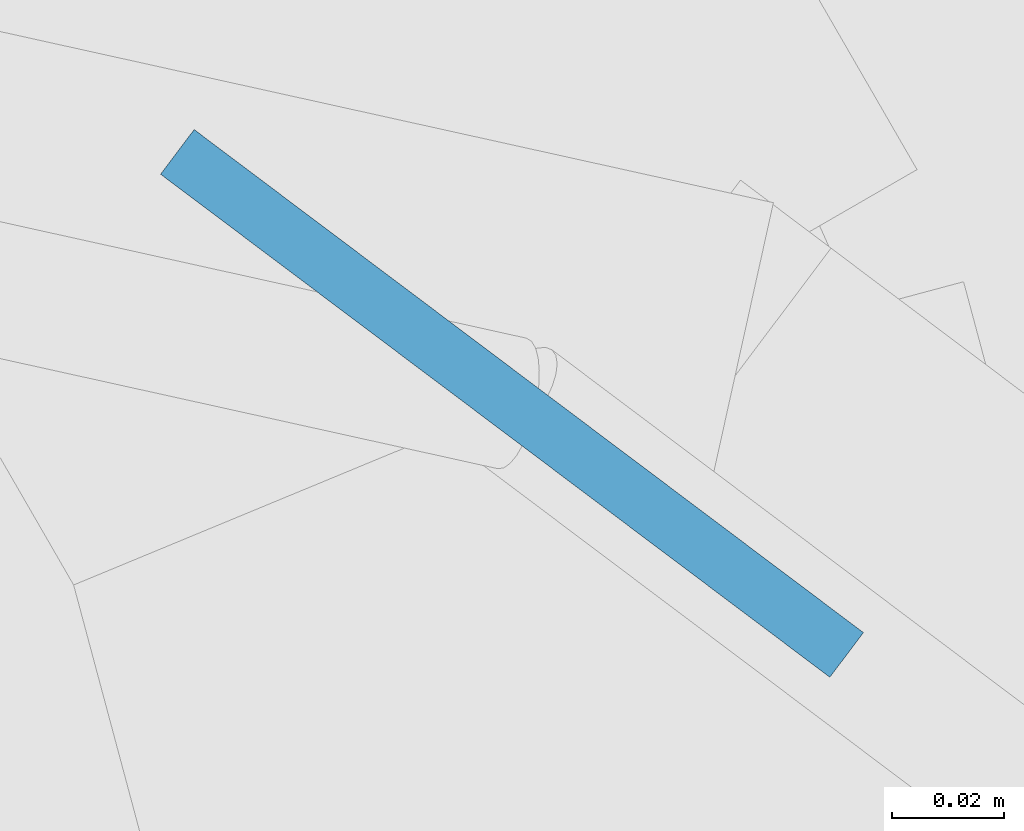
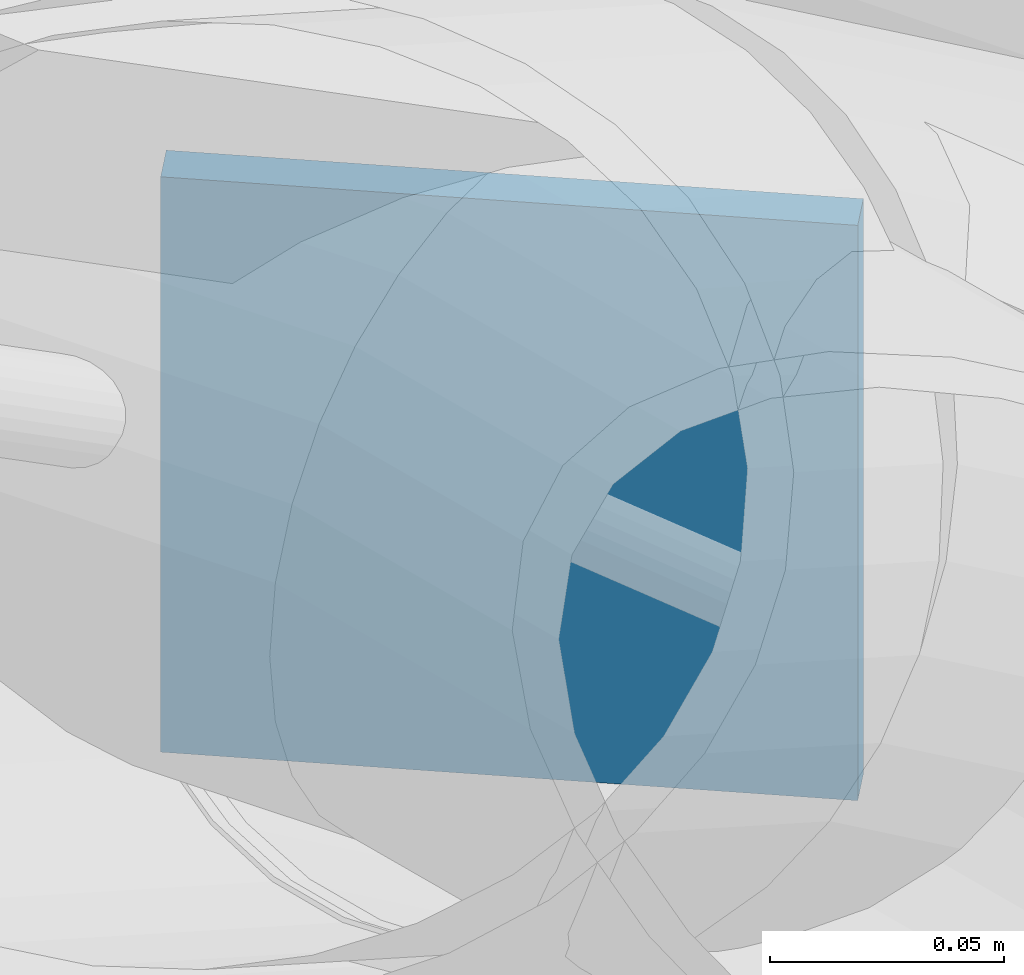
# One storey, part 24 of 33: 1 discrete accessory.
"""IFC4 building model written with IfcOpenShell, lengths in metres."""

import ifcopenshell
import ifcopenshell.guid

model = None  # the IFC model being written
_history = None  # IfcOwnerHistory: only IFC2X3 demands one
_inside = {}  # id of a spatial element -> (the spatial element, [elements in it])
_under = {}  # id of a project, library or spatial element -> (it, [spatial elements below it])
_declared = {}  # id of a project -> (the project, [libraries it declares])
_typed = {}  # id of a type object -> (the type object, [elements of that type])
_made_of = {}  # id of a material, layer set ... -> (it, [elements and type objects made of it])


def new_model(schema):
    """Start an empty IFC model of exactly this schema.

    Asked for "IFC4X3", IfcOpenShell would pick the latest addendum, in which some entities
    have other attributes; the version numbers below select the first issue.
    IFC2X3 requires an IfcOwnerHistory on every rooted entity: one is made here for all.
    """
    global model, _history
    if schema == "IFC4X3":
        model = ifcopenshell.file(schema_version=(4, 3, 0, 0))
    else:
        model = ifcopenshell.file(schema=schema)
    _inside.clear()
    _under.clear()
    _declared.clear()
    _typed.clear()
    _made_of.clear()
    _history = None
    if model.schema == "IFC2X3":
        org = make("IfcOrganization", Name="unknown")
        user = make(
            "IfcPersonAndOrganization",
            ThePerson=make("IfcPerson", FamilyName="unknown"),
            TheOrganization=org,
        )
        app = make(
            "IfcApplication",
            ApplicationDeveloper=org,
            Version="unknown",
            ApplicationFullName="unknown",
            ApplicationIdentifier="unknown",
        )
        _history = make(
            "IfcOwnerHistory",
            OwningUser=user,
            OwningApplication=app,
            ChangeAction="ADDED",
            CreationDate=0,
        )
    return model


def make(cls, **values):
    """One entity of the class cls with the attributes given. An attribute that is None is left unset."""
    return model.create_entity(
        cls, **{name: value for name, value in values.items() if value is not None}
    )


def rooted(cls, **values):
    """An entity with a GlobalId (a new one), such as an element, a storey or a relation."""
    return make(cls, GlobalId=ifcopenshell.guid.new(), OwnerHistory=_history, **values)


def si_unit(unit_type, name, prefix=None):
    """IfcSIUnit, for example si_unit("LENGTHUNIT", "METRE", prefix="MILLI")."""
    return make("IfcSIUnit", UnitType=unit_type, Prefix=prefix, Name=name)


def assignment(units):
    """IfcUnitAssignment: the units of a project."""
    return None if units is None else make("IfcUnitAssignment", Units=units)


def point(xyz):
    """IfcCartesianPoint."""
    return None if xyz is None else make("IfcCartesianPoint", Coordinates=xyz)


def direction(xyz):
    """IfcDirection."""
    return None if xyz is None else make("IfcDirection", DirectionRatios=xyz)


def frame(location, z_axis=None, x_axis=None):
    """IfcAxis2Placement3D, a coordinate frame: its origin and axes. An axis left out is left unset."""
    return make(
        "IfcAxis2Placement3D",
        Location=point(location),
        Axis=direction(z_axis),
        RefDirection=direction(x_axis),
    )


def frame_2d(location, x_axis=None):
    """IfcAxis2Placement2D, a coordinate frame in the plane: its origin and x axis."""
    return make(
        "IfcAxis2Placement2D", Location=point(location), RefDirection=direction(x_axis)
    )


def origin():
    """The frame at (0, 0, 0) with its axes left unset."""
    return frame((0.0, 0.0, 0.0))


def origin_2d():
    """The frame at (0, 0) in the plane with its x axis left unset."""
    return frame_2d((0.0, 0.0))


def place(relative_to, where):
    """IfcLocalPlacement: puts the frame where relative to a parent placement (None: the world)."""
    return make(
        "IfcLocalPlacement", PlacementRelTo=relative_to, RelativePlacement=where
    )


def context(
    kind, dimensions, precision=None, world=None, true_north=None, identifier=None
):
    """IfcGeometricRepresentationContext, for example the 3D "Model" context."""
    return make(
        "IfcGeometricRepresentationContext",
        ContextIdentifier=identifier,
        ContextType=kind,
        CoordinateSpaceDimension=dimensions,
        Precision=precision,
        WorldCoordinateSystem=world,
        TrueNorth=true_north,
    )


def subcontext(parent, identifier, kind, view, scale=None):
    """IfcGeometricRepresentationSubContext, for example "Body" below "Model"."""
    return make(
        "IfcGeometricRepresentationSubContext",
        ContextIdentifier=identifier,
        ContextType=kind,
        ParentContext=parent,
        TargetScale=scale,
        TargetView=view,
    )


def project(units=None, contexts=None):
    """IfcProject with its units and contexts."""
    return rooted(
        "IfcProject",
        Name="project",
        RepresentationContexts=contexts,
        UnitsInContext=assignment(units),
    )


def spatial(cls, under=None, at=None, **own):
    """A site, building, storey or space (cls), placed at a placement, below another one or the project."""
    s = rooted(cls, ObjectPlacement=at, **own)
    if under is not None:
        _under.setdefault(under.id(), (under, []))[1].append(s)
    return s


def profile(cls, at=None, kind="AREA", **sizes):
    """A parametric profile (cls). Its sizes go by their IFC names, for example OverallWidth=200.0."""
    return make(cls, ProfileType=kind, Position=at, **sizes)


def rectangle(**sizes):
    """IfcRectangleProfileDef."""
    return profile("IfcRectangleProfileDef", **sizes)


def extrude(swept, where, along, depth):
    """IfcExtrudedAreaSolid: the profile swept, set in the frame where, extruded along a direction by depth."""
    return make(
        "IfcExtrudedAreaSolid",
        SweptArea=swept,
        Position=where,
        ExtrudedDirection=direction(along),
        Depth=depth,
    )


def shape(context_of_items, identifier, shape_type, items):
    """IfcShapeRepresentation: the items that make up one representation, for example the "Body"."""
    return make(
        "IfcShapeRepresentation",
        ContextOfItems=context_of_items,
        RepresentationIdentifier=identifier,
        RepresentationType=shape_type,
        Items=items,
    )


def material(Name=None, Category=None):
    """IfcMaterial."""
    return make("IfcMaterial", Name=Name, Category=Category)


def made_of(thing, what):
    """Note that an element or type object is made of a material, layer set ...; save() writes the relation."""
    if what is not None:
        _made_of.setdefault(what.id(), (what, []))[1].append(thing)
    return thing


def type_object(cls, material=None, **own):
    """A type object (cls), such as IfcWallType, which elements share."""
    return made_of(rooted(cls, **own), material)


def element(
    cls,
    number,
    at=None,
    inside=None,
    cuts=None,
    type_object=None,
    material=None,
    context=None,
    identifier="Body",
    shape_type=None,
    held_by="IfcProductDefinitionShape",
    body=None,
    shapes=None,
    **own,
):
    """One element of the class cls, such as IfcWall. Its Tag is "e" and its number.

    at: its placement. inside: the storey or other place that contains it. cuts: it is an
    opening in that element (IfcRelVoidsElement). A single representation is given by context,
    identifier, shape_type and body (its items); several are given by shapes. held_by: the class
    of the entity that holds the representations. save() writes the other relations.
    """
    e = rooted(cls, Tag="e%d" % number, ObjectPlacement=at, **own)
    if body is not None:
        shapes = [shape(context, identifier, shape_type, body)]
    if shapes is not None:
        e.Representation = make(held_by, Representations=shapes)
    if inside is not None:
        _inside.setdefault(inside.id(), (inside, []))[1].append(e)
    if cuts is not None:
        rooted(
            "IfcRelVoidsElement", RelatingBuildingElement=cuts, RelatedOpeningElement=e
        )
    if type_object is not None:
        _typed.setdefault(type_object.id(), (type_object, []))[1].append(e)
    return made_of(e, material)


def aggregate(whole, parts):
    """IfcRelAggregates: a whole, such as a stair, and the parts it consists of."""
    return rooted("IfcRelAggregates", RelatingObject=whole, RelatedObjects=parts)


def save(model, path):
    """Write the relations noted so far, then the file.

    IfcRelAggregates (storeys below a building ...), IfcRelContainedInSpatialStructure (elements
    in a storey), IfcRelDefinesByType, IfcRelAssociatesMaterial and IfcRelDeclares: one each for
    every whole, place, type object, material and project.
    """
    for whole, parts in _under.values():
        aggregate(whole, parts)
    for where, things in _inside.values():
        rooted(
            "IfcRelContainedInSpatialStructure",
            RelatedElements=things,
            RelatingStructure=where,
        )
    for kind, things in _typed.values():
        rooted("IfcRelDefinesByType", RelatedObjects=things, RelatingType=kind)
    for what, things in _made_of.values():
        rooted("IfcRelAssociatesMaterial", RelatedObjects=things, RelatingMaterial=what)
    for by, libraries in _declared.values():
        rooted("IfcRelDeclares", RelatingContext=by, RelatedDefinitions=libraries)
    model.write(path)


model = new_model("IFC4")

# Units and contexts
model_context = context("Model", 3, precision=1e-05, world=origin(), true_north=direction((0.0, 1.0)))
body_context = subcontext(model_context, "Body", "Model", "MODEL_VIEW")
ifc_project = project(units=[si_unit("LENGTHUNIT", "METRE"), si_unit("AREAUNIT", "SQUARE_METRE"), si_unit("VOLUMEUNIT", "CUBIC_METRE"), si_unit("PLANEANGLEUNIT", "RADIAN"), si_unit("MASSUNIT", "GRAM", prefix="KILO")], contexts=[model_context])

# Site, building, storey
site_placement = place(None, origin())
site = spatial("IfcSite", under=ifc_project, at=site_placement, CompositionType="ELEMENT")
building_placement = place(site_placement, origin())
building = spatial("IfcBuilding", under=site, at=building_placement, Name="Hortulan Conservatory and Botanical Research Centre", CompositionType="ELEMENT")
storey_placement = place(building_placement, frame((0.0, 0.0, 19.199951171875)))
storey = spatial("IfcBuildingStorey", under=building, at=storey_placement, Name="L04", CompositionType="ELEMENT", Elevation=19.199951171875)

# Discrete accessory
ifc_material = material(Name="Steel Grade 300 plate (AS/NZS 3678, 280 MPa minimum yield)", Category="steel")
discrete_accessory_type = type_object("IfcDiscreteAccessoryType", Name="End Plate 150x10", PredefinedType="BRACKET", material=ifc_material)
discrete_accessory_placement = place(storey_placement, frame((63.0888671875, 21.764892578125, 1.972900390625), z_axis=(0.0, 0.0, 1.0), x_axis=(0.799380656082, -0.600824905178, 0.0)))
element("IfcDiscreteAccessory", 1, at=discrete_accessory_placement, inside=storey, type_object=discrete_accessory_type, Name="Dome rod end plate", PredefinedType="BRACKET", context=body_context, shape_type="SweptSolid", body=[
    extrude(rectangle(XDim=0.14990234375, YDim=0.010009765625, at=origin_2d()), origin(), (0.0, 0.0, 1.0), 0.14990234375),
])

save(model, "model.ifc")
